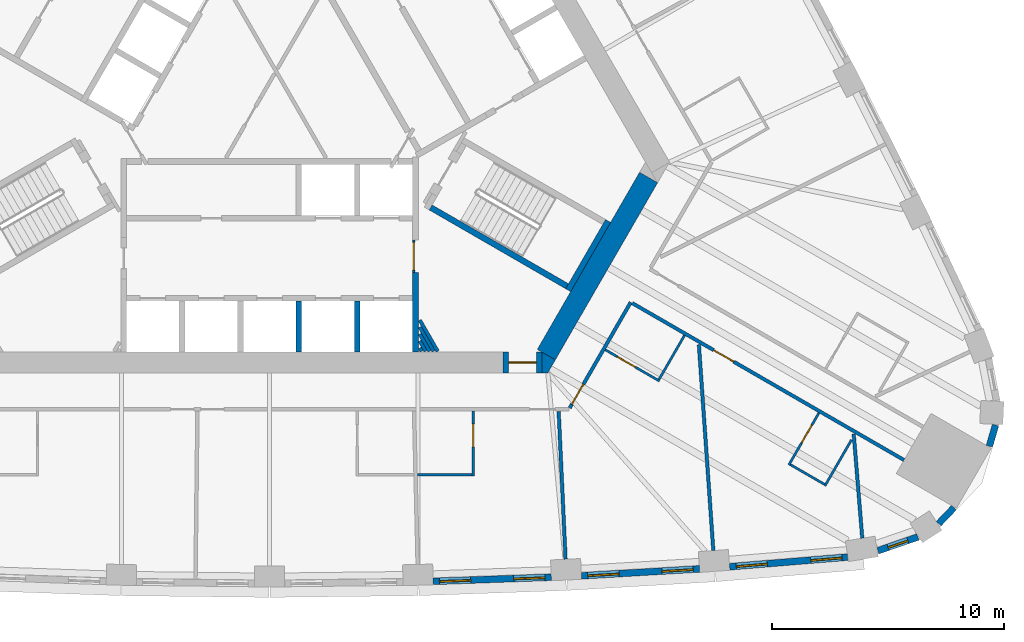
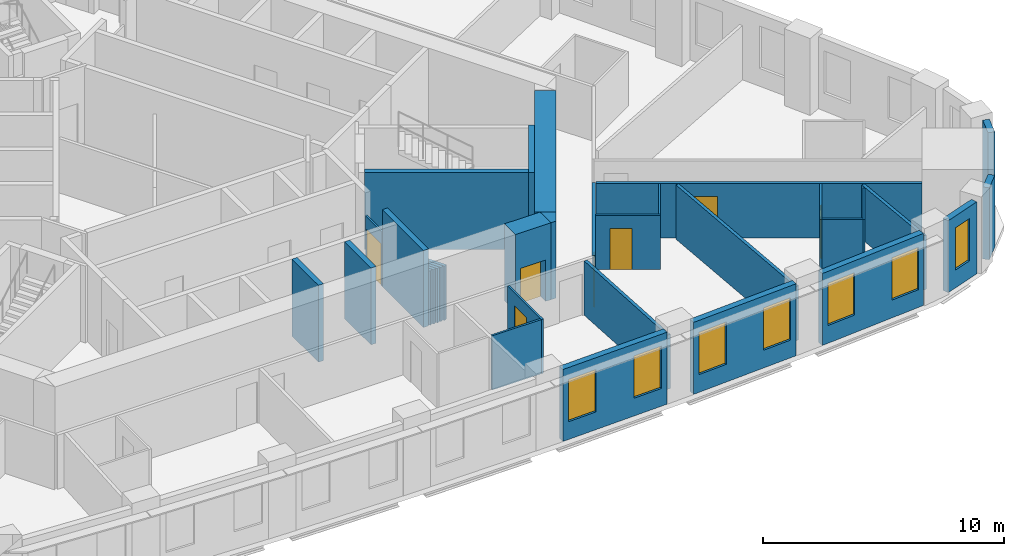
# One storey, part 7 of 12: 32 walls, 7 doors, 7 windows, 14 openings.
"""IFC4 building model written with IfcOpenShell, lengths in metres."""

from ifc_helpers import new_model, si_unit, direction, frame, frame_2d, origin, place, context, subcontext, project, spatial, polyline, rectangle, outline, extrude, material, layer, layer_set, type_object, element, fill, save


model = new_model("IFC4")

# Units and contexts
model_context = context("Model", 3, precision=1e-05, world=origin(), true_north=direction((0.0, 1.0)))
body_context = subcontext(model_context, "Body", "Model", "MODEL_VIEW")
ifc_project = project(units=[si_unit("LENGTHUNIT", "METRE"), si_unit("AREAUNIT", "SQUARE_METRE"), si_unit("VOLUMEUNIT", "CUBIC_METRE"), si_unit("PLANEANGLEUNIT", "RADIAN"), si_unit("MASSUNIT", "GRAM", prefix="KILO")], contexts=[model_context])

# Site, building, storey
site_placement = place(None, origin())
site = spatial("IfcSite", under=ifc_project, at=site_placement, CompositionType="ELEMENT")
building_placement = place(site_placement, origin())
building = spatial("IfcBuilding", under=site, at=building_placement, Name="Mestral Congress Tower", CompositionType="ELEMENT")
storey_placement = place(building_placement, frame((0.0, 0.0, 122.699951171875)))
storey = spatial("IfcBuildingStorey", under=building, at=storey_placement, Name="L29", CompositionType="ELEMENT", Elevation=122.699951171875)

# Walls
ifc_material_1 = material(Name="Fire-rated board partition")
ifc_layer_1 = layer(ifc_material_1, 0.14990234375)
ifc_layer_set_1 = layer_set([ifc_layer_1], Name="Fire-rated board partition")
wall_type_1 = type_object("IfcWallType", Name="Core partition 150", PredefinedType="PARTITIONING", material=ifc_layer_set_1)
wall_1_placement = place(storey_placement, frame((6.47998046875, -10.7255859375, 0.0), z_axis=(0.0, 0.0, 1.0), x_axis=(0.500017819788, -0.86601511528, 0.0)))
element("IfcWall", 1, at=wall_1_placement, inside=storey, type_object=wall_type_1, Name="L29 core wall", PredefinedType="PARTITIONING", context=body_context, shape_type="SweptSolid", body=[
    extrude(rectangle(XDim=1.55029296875, YDim=0.14990234375, at=frame_2d((0.775146484375, 0.0))), origin(), (0.0, 0.0, 1.0), 2.75),
])
wall_2_placement = place(storey_placement, frame((6.47998046875, -11.025634765625, 0.0), z_axis=(0.0, 0.0, 1.0), x_axis=(0.49995654735, -0.86605048973, 0.0)))
element("IfcWall", 2, at=wall_2_placement, inside=storey, type_object=wall_type_1, Name="L29 core wall", PredefinedType="PARTITIONING", context=body_context, shape_type="SweptSolid", body=[
    extrude(rectangle(XDim=1.20361328125, YDim=0.14990234375, at=frame_2d((0.601806640625, 0.0))), origin(), (0.0, 0.0, 1.0), 2.75),
])
wall_3_placement = place(storey_placement, frame((6.47998046875, -11.32568359375, 0.0), z_axis=(0.0, 0.0, 1.0), x_axis=(0.500059337743, -0.865991142412, 0.0)))
element("IfcWall", 3, at=wall_3_placement, inside=storey, type_object=wall_type_1, Name="L29 core wall", PredefinedType="PARTITIONING", context=body_context, shape_type="SweptSolid", body=[
    extrude(rectangle(XDim=0.857421875, YDim=0.14990234375, at=frame_2d((0.4287109375, 0.0))), origin(), (0.0, 0.0, 1.0), 2.75),
])
wall_4_placement = place(storey_placement, frame((6.47998046875, -11.625732421875, 0.0), z_axis=(0.0, 0.0, 1.0), x_axis=(0.500301480982, -0.865851273677, 0.0)))
element("IfcWall", 4, at=wall_4_placement, inside=storey, type_object=wall_type_1, Name="L29 core wall", PredefinedType="PARTITIONING", context=body_context, shape_type="SweptSolid", body=[
    extrude(rectangle(XDim=0.510986328125, YDim=0.14990234375, at=frame_2d((0.25537109375, 0.0))), origin(), (0.0, 0.0, 1.0), 2.75),
])
wall_5_placement = place(storey_placement, frame((6.47998046875, -11.92578125, 0.0), z_axis=(0.0, 0.0, 1.0), x_axis=(0.500450775723, -0.86576499183, 0.0)))
element("IfcWall", 5, at=wall_5_placement, inside=storey, type_object=wall_type_1, Name="L29 core wall", PredefinedType="PARTITIONING", context=body_context, shape_type="SweptSolid", body=[
    extrude(rectangle(XDim=0.164306640625, YDim=0.14990234375, at=frame_2d((0.08203125, 0.0))), origin(), (0.0, 0.0, 1.0), 2.75),
])

# Wall, opening, door
ifc_layer_2 = layer(ifc_material_1, 0.090087890625)
ifc_layer_set_2 = layer_set([ifc_layer_2], Name="Fire-rated board partition")
wall_type_2 = type_object("IfcWallType", Name="Core partition 150 door-wall 90", PredefinedType="PARTITIONING", material=ifc_layer_set_2)
wall_6_placement = place(storey_placement, frame((6.219970703125, -7.266357421875, 0.0), z_axis=(0.0, 0.0, 1.0), x_axis=(0.0, -1.0, 0.0)))
wall_6 = element("IfcWall", 6, at=wall_6_placement, inside=storey, type_object=wall_type_2, Name="L29 door wall", PredefinedType="PARTITIONING", context=body_context, shape_type="SweptSolid", body=[
    extrude(rectangle(XDim=1.400146484375, YDim=0.090087890625, at=frame_2d((0.7001953125, 0.0))), origin(), (0.0, 0.0, 1.0), 2.75),
])
opening_1_placement = place(wall_6_placement, frame((0.10009765625, 0.0, 0.0)))
opening_1 = element("IfcOpeningElement", 7, at=opening_1_placement, cuts=wall_6, Name="Opening LB0-WL1", PredefinedType="OPENING", context=body_context, shape_type="SweptSolid", body=[
    extrude(rectangle(XDim=1.199951171875, YDim=2.10009765625, at=frame_2d((0.60009765625, 1.050048828125))), frame((0.0, 0.054931640625, 0.0), z_axis=(0.0, -1.0, 0.0), x_axis=(1.0, 0.0, 0.0)), (0.0, 0.0, 1.0), 0.110107421875),
])
ifc_material_2 = material(Name="Fire-rated steel door set", Category="steel")
door_type_1 = type_object("IfcDoorType", Name="Core door LB 1200x2100", OperationType="SINGLE_SWING_LEFT", PredefinedType="DOOR", material=ifc_material_2)
door_1_placement = place(opening_1_placement, origin())
door_1 = element("IfcDoor", 8, at=door_1_placement, inside=storey, type_object=door_type_1, Name="Door LB0-WL1", OperationType="SINGLE_SWING_LEFT", OverallHeight=2.10009765625, OverallWidth=1.199951171875, PredefinedType="DOOR", context=body_context, shape_type="SweptSolid", body=[
    extrude(rectangle(XDim=1.199951171875, YDim=2.10009765625, at=frame_2d((0.60009765625, 1.050048828125))), frame((0.0, 0.02490234375, 0.0), z_axis=(0.0, -1.0, 0.0), x_axis=(1.0, 0.0, 0.0)), (0.0, 0.0, 1.0), 0.050048828125),
])
fill(opening_1, door_1)

# Walls
ifc_material_3 = material(Name="Concrete C60/75", Category="concrete")
ifc_layer_3 = layer(ifc_material_3, 0.89990234375)
ifc_layer_set_3 = layer_set([ifc_layer_3], Name="Concrete C60/75")
wall_type_3 = type_object("IfcWallType", Name="Core wall RC 900", PredefinedType="SOLIDWALL", material=ifc_layer_set_3)
wall_7_placement = place(storey_placement, frame((11.943115234375, -12.214111328125, 0.0), z_axis=(0.0, 0.0, 1.0), x_axis=(0.49998092645, 0.866036415623, 0.0)))
element("IfcWall", 9, at=wall_7_placement, inside=storey, type_object=wall_type_3, Name="L29 core wall", PredefinedType="SOLIDWALL", context=body_context, shape_type="SweptSolid", body=[
    extrude(rectangle(XDim=8.830322265625, YDim=0.89990234375, at=frame_2d((4.4150390625, 0.0))), origin(), (0.0, 0.0, 1.0), 3.900146484375),
])
wall_8_placement = place(storey_placement, origin())
element("IfcWall", 10, at=wall_8_placement, inside=storey, type_object=wall_type_3, Name="L29 core wall", PredefinedType="SOLIDWALL", context=body_context, shape_type="SweptSolid", body=[
    extrude(outline(polyline([(12.0087890625, -13.0), (11.764404296875, -13.0), (11.764404296875, -12.11328125), (12.331787109375, -12.440673828125), (12.0087890625, -13.0)])), origin(), (0.0, 0.0, 1.0), 3.900146484375),
])

# Wall, opening, door
wall_9_placement = place(storey_placement, frame((11.764404296875, -12.550048828125, 0.0), z_axis=(0.0, 0.0, 1.0), x_axis=(-1.0, 0.0, 0.0)))
wall_9 = element("IfcWall", 11, at=wall_9_placement, inside=storey, type_object=wall_type_3, Name="L29 door wall", PredefinedType="SOLIDWALL", context=body_context, shape_type="SweptSolid", body=[
    extrude(rectangle(XDim=1.699951171875, YDim=0.89990234375, at=frame_2d((0.85009765625, 0.0))), origin(), (0.0, 0.0, 1.0), 3.900146484375),
])
opening_2_placement = place(wall_9_placement, frame((0.25, 0.0, 0.0)))
opening_2 = element("IfcOpeningElement", 12, at=opening_2_placement, cuts=wall_9, Name="Opening XD1", PredefinedType="OPENING", context=body_context, shape_type="SweptSolid", body=[
    extrude(rectangle(XDim=1.199951171875, YDim=2.10009765625, at=frame_2d((0.60009765625, 1.050048828125))), frame((0.0, 0.4599609375, 0.0), z_axis=(0.0, -1.0, 0.0), x_axis=(1.0, 0.0, 0.0)), (0.0, 0.0, 1.0), 0.919921875),
])
door_type_2 = type_object("IfcDoorType", Name="Core door XD 1200x2100", OperationType="SINGLE_SWING_LEFT", PredefinedType="DOOR", material=ifc_material_2)
door_2_placement = place(opening_2_placement, origin())
door_2 = element("IfcDoor", 13, at=door_2_placement, inside=storey, type_object=door_type_2, Name="Door XD1", OperationType="SINGLE_SWING_LEFT", OverallHeight=2.10009765625, OverallWidth=1.199951171875, PredefinedType="DOOR", context=body_context, shape_type="SweptSolid", body=[
    extrude(rectangle(XDim=1.199951171875, YDim=2.10009765625, at=frame_2d((0.60009765625, 1.050048828125))), frame((0.0, 0.02490234375, 0.0), z_axis=(0.0, -1.0, 0.0), x_axis=(1.0, 0.0, 0.0)), (0.0, 0.0, 1.0), 0.050048828125),
])
fill(opening_2, door_2)

# Wall, openings, windows
ifc_material_4 = material(Name="Precast concrete C40/50 with limestone facing", Category="masonry")
ifc_layer_4 = layer(ifc_material_4, 0.2900390625)
ifc_layer_set_4 = layer_set([ifc_layer_4], Name="Precast concrete C40/50 with limestone facing")
wall_type_4 = type_object("IfcWallType", Name="Facade stone wall 290", PredefinedType="SOLIDWALL", material=ifc_layer_set_4)
wall_10_placement = place(storey_placement, frame((7.059326171875, -22.000732421875, 0.0), z_axis=(0.0, 0.0, 1.0), x_axis=(0.999385993957, 0.035037623812, 0.0)))
wall_10 = element("IfcWall", 14, at=wall_10_placement, inside=storey, type_object=wall_type_4, Name="Facade wall F0-05", PredefinedType="SOLIDWALL", context=body_context, shape_type="SweptSolid", body=[
    extrude(rectangle(XDim=5.1005859375, YDim=0.2900390625, at=frame_2d((2.55029296875, 0.0))), origin(), (0.0, 0.0, 1.0), 3.650146484375),
])
opening_3_placement = place(wall_10_placement, frame((0.272705078125, 0.0, 0.89990234375)))
opening_3 = element("IfcOpeningElement", 15, at=opening_3_placement, cuts=wall_10, Name="Opening W2", PredefinedType="OPENING", context=body_context, shape_type="SweptSolid", body=[
    extrude(rectangle(XDim=1.35009765625, YDim=2.14990234375, at=frame_2d((0.675048828125, 1.074951171875))), frame((0.0, 0.155029296875, 0.0), z_axis=(0.0, -1.0, 0.0), x_axis=(1.0, 0.0, 0.0)), (0.0, 0.0, 1.0), 0.31005859375),
])
opening_4_placement = place(wall_10_placement, frame((3.477783203125, 0.0, 0.89990234375)))
opening_4 = element("IfcOpeningElement", 16, at=opening_4_placement, cuts=wall_10, Name="Opening W2", PredefinedType="OPENING", context=body_context, shape_type="SweptSolid", body=[
    extrude(rectangle(XDim=1.35009765625, YDim=2.14990234375, at=frame_2d((0.675048828125, 1.074951171875))), frame((0.0, 0.155029296875, 0.0), z_axis=(0.0, -1.0, 0.0), x_axis=(1.0, 0.0, 0.0)), (0.0, 0.0, 1.0), 0.31005859375),
])
ifc_material_5 = material(Name="Clear low-emissivity double glazing", Category="glass")
window_type_1 = type_object("IfcWindowType", Name="Facade punched window 1350 x 2150 sill 900", PartitioningType="DOUBLE_PANEL_VERTICAL", PredefinedType="WINDOW", material=ifc_material_5)
window_1_placement = place(opening_3_placement, origin())
window_1 = element("IfcWindow", 17, at=window_1_placement, inside=storey, type_object=window_type_1, Name="Window F0-05a", OverallHeight=2.14990234375, OverallWidth=1.35009765625, PartitioningType="DOUBLE_PANEL_VERTICAL", PredefinedType="WINDOW", context=body_context, shape_type="SweptSolid", body=[
    extrude(rectangle(XDim=1.35009765625, YDim=2.14990234375, at=frame_2d((0.675048828125, 1.074951171875))), frame((0.0, 0.01513671875, 0.0), z_axis=(0.0, -1.0, 0.0), x_axis=(1.0, 0.0, 0.0)), (0.0, 0.0, 1.0), 0.06005859375),
])
fill(opening_3, window_1)
window_2_placement = place(opening_4_placement, origin())
window_2 = element("IfcWindow", 18, at=window_2_placement, inside=storey, type_object=window_type_1, Name="Window F0-05b", OverallHeight=2.14990234375, OverallWidth=1.35009765625, PartitioningType="DOUBLE_PANEL_VERTICAL", PredefinedType="WINDOW", context=body_context, shape_type="SweptSolid", body=[
    extrude(rectangle(XDim=1.35009765625, YDim=2.14990234375, at=frame_2d((0.675048828125, 1.074951171875))), frame((0.0, 0.01513671875, 0.0), z_axis=(0.0, -1.0, 0.0), x_axis=(1.0, 0.0, 0.0)), (0.0, 0.0, 1.0), 0.06005859375),
])
fill(opening_4, window_2)

wall_11_placement = place(storey_placement, frame((13.4619140625, -21.760986328125, 0.0), z_axis=(0.0, 0.0, 1.0), x_axis=(0.998290511436, 0.058447025388, 0.0)))
wall_11 = element("IfcWall", 19, at=wall_11_placement, inside=storey, type_object=wall_type_4, Name="Facade wall F0-06", PredefinedType="SOLIDWALL", context=body_context, shape_type="SweptSolid", body=[
    extrude(rectangle(XDim=5.100341796875, YDim=0.2900390625, at=frame_2d((2.55029296875, 0.0))), origin(), (0.0, 0.0, 1.0), 3.650146484375),
])
opening_5_placement = place(wall_11_placement, frame((0.2724609375, 0.0, 0.89990234375)))
opening_5 = element("IfcOpeningElement", 20, at=opening_5_placement, cuts=wall_11, Name="Opening W2", PredefinedType="OPENING", context=body_context, shape_type="SweptSolid", body=[
    extrude(rectangle(XDim=1.35009765625, YDim=2.14990234375, at=frame_2d((0.675048828125, 1.074951171875))), frame((0.0, 0.155029296875, 0.0), z_axis=(0.0, -1.0, 0.0), x_axis=(1.0, 0.0, 0.0)), (0.0, 0.0, 1.0), 0.31005859375),
])
opening_6_placement = place(wall_11_placement, frame((3.477783203125, 0.0, 0.89990234375)))
opening_6 = element("IfcOpeningElement", 21, at=opening_6_placement, cuts=wall_11, Name="Opening W2", PredefinedType="OPENING", context=body_context, shape_type="SweptSolid", body=[
    extrude(rectangle(XDim=1.35009765625, YDim=2.14990234375, at=frame_2d((0.675048828125, 1.074951171875))), frame((0.0, 0.155029296875, 0.0), z_axis=(0.0, -1.0, 0.0), x_axis=(1.0, 0.0, 0.0)), (0.0, 0.0, 1.0), 0.31005859375),
])
window_3_placement = place(opening_5_placement, origin())
window_3 = element("IfcWindow", 22, at=window_3_placement, inside=storey, type_object=window_type_1, Name="Window F0-06a", OverallHeight=2.14990234375, OverallWidth=1.35009765625, PartitioningType="DOUBLE_PANEL_VERTICAL", PredefinedType="WINDOW", context=body_context, shape_type="SweptSolid", body=[
    extrude(rectangle(XDim=1.35009765625, YDim=2.14990234375, at=frame_2d((0.675048828125, 1.074951171875))), frame((0.0, 0.01513671875, 0.0), z_axis=(0.0, -1.0, 0.0), x_axis=(1.0, 0.0, 0.0)), (0.0, 0.0, 1.0), 0.06005859375),
])
fill(opening_5, window_3)
window_4_placement = place(opening_6_placement, origin())
window_4 = element("IfcWindow", 23, at=window_4_placement, inside=storey, type_object=window_type_1, Name="Window F0-06b", OverallHeight=2.14990234375, OverallWidth=1.35009765625, PartitioningType="DOUBLE_PANEL_VERTICAL", PredefinedType="WINDOW", context=body_context, shape_type="SweptSolid", body=[
    extrude(rectangle(XDim=1.35009765625, YDim=2.14990234375, at=frame_2d((0.675048828125, 1.074951171875))), frame((0.0, 0.01513671875, 0.0), z_axis=(0.0, -1.0, 0.0), x_axis=(1.0, 0.0, 0.0)), (0.0, 0.0, 1.0), 0.06005859375),
])
fill(opening_6, window_4)

wall_12_placement = place(storey_placement, frame((19.856689453125, -21.37109375, 0.0), z_axis=(0.0, 0.0, 1.0), x_axis=(0.99665273362, 0.081751627308, 0.0)))
wall_12 = element("IfcWall", 24, at=wall_12_placement, inside=storey, type_object=wall_type_4, Name="Facade wall F0-07", PredefinedType="SOLIDWALL", context=body_context, shape_type="SweptSolid", body=[
    extrude(rectangle(XDim=5.106689453125, YDim=0.2900390625, at=frame_2d((2.55322265625, 0.0))), origin(), (0.0, 0.0, 1.0), 3.650146484375),
])
opening_7_placement = place(wall_12_placement, frame((0.285400390625, 0.0, 0.89990234375)))
opening_7 = element("IfcOpeningElement", 25, at=opening_7_placement, cuts=wall_12, Name="Opening W2", PredefinedType="OPENING", context=body_context, shape_type="SweptSolid", body=[
    extrude(rectangle(XDim=1.35009765625, YDim=2.14990234375, at=frame_2d((0.675048828125, 1.074951171875))), frame((0.0, 0.155029296875, 0.0), z_axis=(0.0, -1.0, 0.0), x_axis=(1.0, 0.0, 0.0)), (0.0, 0.0, 1.0), 0.31005859375),
])
opening_8_placement = place(wall_12_placement, frame((3.51611328125, 0.0, 0.89990234375)))
opening_8 = element("IfcOpeningElement", 26, at=opening_8_placement, cuts=wall_12, Name="Opening W2", PredefinedType="OPENING", context=body_context, shape_type="SweptSolid", body=[
    extrude(rectangle(XDim=1.35009765625, YDim=2.14990234375, at=frame_2d((0.675048828125, 1.074951171875))), frame((0.0, 0.155029296875, 0.0), z_axis=(0.0, -1.0, 0.0), x_axis=(1.0, 0.0, 0.0)), (0.0, 0.0, 1.0), 0.31005859375),
])
window_5_placement = place(opening_7_placement, origin())
window_5 = element("IfcWindow", 27, at=window_5_placement, inside=storey, type_object=window_type_1, Name="Window F0-07a", OverallHeight=2.14990234375, OverallWidth=1.35009765625, PartitioningType="DOUBLE_PANEL_VERTICAL", PredefinedType="WINDOW", context=body_context, shape_type="SweptSolid", body=[
    extrude(rectangle(XDim=1.35009765625, YDim=2.14990234375, at=frame_2d((0.675048828125, 1.074951171875))), frame((0.0, 0.01513671875, 0.0), z_axis=(0.0, -1.0, 0.0), x_axis=(1.0, 0.0, 0.0)), (0.0, 0.0, 1.0), 0.06005859375),
])
fill(opening_7, window_5)
window_6_placement = place(opening_8_placement, origin())
window_6 = element("IfcWindow", 28, at=window_6_placement, inside=storey, type_object=window_type_1, Name="Window F0-07b", OverallHeight=2.14990234375, OverallWidth=1.35009765625, PartitioningType="DOUBLE_PANEL_VERTICAL", PredefinedType="WINDOW", context=body_context, shape_type="SweptSolid", body=[
    extrude(rectangle(XDim=1.35009765625, YDim=2.14990234375, at=frame_2d((0.675048828125, 1.074951171875))), frame((0.0, 0.01513671875, 0.0), z_axis=(0.0, -1.0, 0.0), x_axis=(1.0, 0.0, 0.0)), (0.0, 0.0, 1.0), 0.06005859375),
])
fill(opening_8, window_6)

# Wall, opening, window
wall_13_placement = place(storey_placement, frame((26.260986328125, -20.67919921875, 0.0), z_axis=(0.0, 0.0, 1.0), x_axis=(0.945385815453, 0.325953462844, 0.0)))
wall_13 = element("IfcWall", 29, at=wall_13_placement, inside=storey, type_object=wall_type_4, Name="Facade wall K0-0", PredefinedType="SOLIDWALL", context=body_context, shape_type="SweptSolid", body=[
    extrude(rectangle(XDim=1.8193359375, YDim=0.2900390625, at=frame_2d((0.90966796875, 0.0))), origin(), (0.0, 0.0, 1.0), 3.650146484375),
])
opening_9_placement = place(wall_13_placement, frame((0.459716796875, 0.0, 0.89990234375)))
opening_9 = element("IfcOpeningElement", 30, at=opening_9_placement, cuts=wall_13, Name="Opening W3", PredefinedType="OPENING", context=body_context, shape_type="SweptSolid", body=[
    extrude(rectangle(XDim=0.89990234375, YDim=2.14990234375, at=frame_2d((0.449951171875, 1.074951171875))), frame((0.0, 0.155029296875, 0.0), z_axis=(0.0, -1.0, 0.0), x_axis=(1.0, 0.0, 0.0)), (0.0, 0.0, 1.0), 0.31005859375),
])
window_type_2 = type_object("IfcWindowType", Name="Facade punched window 900 x 2150 sill 900", PartitioningType="SINGLE_PANEL", PredefinedType="WINDOW", material=ifc_material_5)
window_7_placement = place(opening_9_placement, origin())
window_7 = element("IfcWindow", 31, at=window_7_placement, inside=storey, type_object=window_type_2, Name="Window K0-0", OverallHeight=2.14990234375, OverallWidth=0.89990234375, PartitioningType="SINGLE_PANEL", PredefinedType="WINDOW", context=body_context, shape_type="SweptSolid", body=[
    extrude(rectangle(XDim=0.89990234375, YDim=2.14990234375, at=frame_2d((0.449951171875, 1.074951171875))), frame((0.0, 0.01513671875, 0.0), z_axis=(0.0, -1.0, 0.0), x_axis=(1.0, 0.0, 0.0)), (0.0, 0.0, 1.0), 0.06005859375),
])
fill(opening_9, window_7)

# Walls
wall_14_placement = place(storey_placement, frame((28.88037109375, -19.50927734375, 0.0), z_axis=(0.0, 0.0, 1.0), x_axis=(0.690414427296, 0.723414071319, 0.0)))
element("IfcWall", 32, at=wall_14_placement, inside=storey, type_object=wall_type_4, Name="Facade wall K0-1", PredefinedType="SOLIDWALL", context=body_context, shape_type="SweptSolid", body=[
    extrude(rectangle(XDim=0.947021484375, YDim=0.2900390625, at=frame_2d((0.4736328125, 0.0))), origin(), (0.0, 0.0, 1.0), 3.650146484375),
])
wall_15_placement = place(storey_placement, frame((31.069091796875, -16.165283203125, 0.0), z_axis=(0.0, 0.0, 1.0), x_axis=(0.281454582132, 0.95957455062, 0.0)))
element("IfcWall", 33, at=wall_15_placement, inside=storey, type_object=wall_type_4, Name="Facade wall K0-2", PredefinedType="SOLIDWALL", context=body_context, shape_type="SweptSolid", body=[
    extrude(rectangle(XDim=0.947265625, YDim=0.2900390625, at=frame_2d((0.4736328125, 0.0))), origin(), (0.0, 0.0, 1.0), 3.650146484375),
])

# Wall, opening, door
ifc_material_6 = material(Name="Gypsum board partition on metal studs with mineral wool", Category="composite")
ifc_layer_5 = layer(ifc_material_6, 0.10009765625)
ifc_layer_set_5 = layer_set([ifc_layer_5], Name="Gypsum board partition on metal studs with mineral wool")
wall_type_5 = type_object("IfcWallType", Name="Hotel partition wall 100", PredefinedType="PARTITIONING", material=ifc_layer_set_5)
wall_16_placement = place(storey_placement, frame((8.78759765625, -17.449951171875, 0.0), z_axis=(0.0, 0.0, 1.0), x_axis=(0.0, 1.0, 0.0)))
wall_16 = element("IfcWall", 34, at=wall_16_placement, inside=storey, type_object=wall_type_5, Name="L29-h-pod04a", PredefinedType="PARTITIONING", context=body_context, shape_type="SweptSolid", body=[
    extrude(rectangle(XDim=2.800048828125, YDim=0.10009765625, at=frame_2d((1.39990234375, 0.0))), origin(), (0.0, 0.0, 1.0), 2.75),
])
opening_10_placement = place(wall_16_placement, frame((1.25, 0.0, 0.0)))
opening_10 = element("IfcOpeningElement", 35, at=opening_10_placement, cuts=wall_16, Name="Opening H09-008", PredefinedType="OPENING", context=body_context, shape_type="SweptSolid", body=[
    extrude(rectangle(XDim=1.0, YDim=2.10009765625, at=frame_2d((0.5, 1.050048828125))), frame((0.0, 0.06005859375, 0.0), z_axis=(0.0, -1.0, 0.0), x_axis=(1.0, 0.0, 0.0)), (0.0, 0.0, 1.0), 0.1201171875),
])
ifc_material_7 = material(Name="Timber veneer door leaf in timber frame", Category="wood")
door_type_3 = type_object("IfcDoorType", Name="Accessible bathroom door 1000", OperationType="SINGLE_SWING_LEFT", PredefinedType="DOOR", material=ifc_material_7)
door_3_placement = place(opening_10_placement, origin())
door_3 = element("IfcDoor", 36, at=door_3_placement, inside=storey, type_object=door_type_3, Name="L29-h-d008", OperationType="SINGLE_SWING_LEFT", OverallHeight=2.10009765625, OverallWidth=1.0, PredefinedType="DOOR", context=body_context, shape_type="SweptSolid", body=[
    extrude(rectangle(XDim=1.0, YDim=2.10009765625, at=frame_2d((0.5, 1.050048828125))), frame((0.0, 0.02490234375, 0.0), z_axis=(0.0, -1.0, 0.0), x_axis=(1.0, 0.0, 0.0)), (0.0, 0.0, 1.0), 0.050048828125),
])
fill(opening_10, door_3)

# Wall
wall_17_placement = place(storey_placement, frame((8.73779296875, -17.39990234375, 0.0), z_axis=(0.0, 0.0, 1.0), x_axis=(-1.0, 0.0, 0.0)))
element("IfcWall", 37, at=wall_17_placement, inside=storey, type_object=wall_type_5, Name="L29-h-pod04b", PredefinedType="PARTITIONING", context=body_context, shape_type="SweptSolid", body=[
    extrude(rectangle(XDim=2.360107421875, YDim=0.10009765625, at=frame_2d((1.18017578125, 0.0))), origin(), (0.0, 0.0, 1.0), 2.75),
])

# Wall, opening, door
wall_18_placement = place(storey_placement, frame((14.489501953125, -12.00341796875, 0.0), z_axis=(0.0, 0.0, 1.0), x_axis=(0.866059108428, -0.4999416173, 0.0)))
wall_18 = element("IfcWall", 38, at=wall_18_placement, inside=storey, type_object=wall_type_5, Name="L29-h-pod05a", PredefinedType="PARTITIONING", context=body_context, shape_type="SweptSolid", body=[
    extrude(rectangle(XDim=2.699951171875, YDim=0.10009765625, at=frame_2d((1.35009765625, 0.0))), origin(), (0.0, 0.0, 1.0), 2.75),
])
opening_11_placement = place(wall_18_placement, frame((0.60009765625, 0.0, 0.0)))
opening_11 = element("IfcOpeningElement", 39, at=opening_11_placement, cuts=wall_18, Name="Opening H09-010", PredefinedType="OPENING", context=body_context, shape_type="SweptSolid", body=[
    extrude(rectangle(XDim=0.89990234375, YDim=2.10009765625, at=frame_2d((0.449951171875, 1.050048828125))), frame((0.0, 0.06005859375, 0.0), z_axis=(0.0, -1.0, 0.0), x_axis=(1.0, 0.0, 0.0)), (0.0, 0.0, 1.0), 0.1201171875),
])
door_type_4 = type_object("IfcDoorType", Name="Bathroom door 900", OperationType="SINGLE_SWING_LEFT", PredefinedType="DOOR", material=ifc_material_7)
door_4_placement = place(opening_11_placement, origin())
door_4 = element("IfcDoor", 40, at=door_4_placement, inside=storey, type_object=door_type_4, Name="L29-h-d010", OperationType="SINGLE_SWING_LEFT", OverallHeight=2.10009765625, OverallWidth=0.89990234375, PredefinedType="DOOR", context=body_context, shape_type="SweptSolid", body=[
    extrude(rectangle(XDim=0.89990234375, YDim=2.10009765625, at=frame_2d((0.449951171875, 1.050048828125))), frame((0.0, 0.02490234375, 0.0), z_axis=(0.0, -1.0, 0.0), x_axis=(1.0, 0.0, 0.0)), (0.0, 0.0, 1.0), 0.050048828125),
])
fill(opening_11, door_4)

# Wall
wall_19_placement = place(storey_placement, frame((16.8095703125, -13.284912109375, 0.0), z_axis=(0.0, 0.0, 1.0), x_axis=(0.499994660107, 0.866028486751, 0.0)))
element("IfcWall", 41, at=wall_19_placement, inside=storey, type_object=wall_type_5, Name="L29-h-pod05b", PredefinedType="PARTITIONING", context=body_context, shape_type="SweptSolid", body=[
    extrude(rectangle(XDim=2.19970703125, YDim=0.10009765625, at=frame_2d((1.099853515625, 0.0))), origin(), (0.0, 0.0, 1.0), 2.75),
])

# Wall, opening, door
wall_20_placement = place(storey_placement, frame((23.710205078125, -14.728271484375, 0.0), z_axis=(0.0, 0.0, 1.0), x_axis=(-0.500006934395, -0.866021400173, 0.0)))
wall_20 = element("IfcWall", 42, at=wall_20_placement, inside=storey, type_object=wall_type_5, Name="L29-h-pod06a", PredefinedType="PARTITIONING", context=body_context, shape_type="SweptSolid", body=[
    extrude(rectangle(XDim=2.60009765625, YDim=0.10009765625, at=frame_2d((1.300048828125, 0.0))), origin(), (0.0, 0.0, 1.0), 2.75),
])
opening_12_placement = place(wall_20_placement, frame((0.60009765625, 0.0, 0.0)))
opening_12 = element("IfcOpeningElement", 43, at=opening_12_placement, cuts=wall_20, Name="Opening H09-012", PredefinedType="OPENING", context=body_context, shape_type="SweptSolid", body=[
    extrude(rectangle(XDim=0.89990234375, YDim=2.10009765625, at=frame_2d((0.449951171875, 1.050048828125))), frame((0.0, 0.06005859375, 0.0), z_axis=(0.0, -1.0, 0.0), x_axis=(1.0, 0.0, 0.0)), (0.0, 0.0, 1.0), 0.1201171875),
])
door_5_placement = place(opening_12_placement, origin())
door_5 = element("IfcDoor", 44, at=door_5_placement, inside=storey, type_object=door_type_4, Name="L29-h-d012", OperationType="SINGLE_SWING_RIGHT", OverallHeight=2.10009765625, OverallWidth=0.89990234375, PredefinedType="DOOR", context=body_context, shape_type="SweptSolid", body=[
    extrude(rectangle(XDim=0.89990234375, YDim=2.10009765625, at=frame_2d((0.449951171875, 1.050048828125))), frame((0.0, 0.02490234375, 0.0), z_axis=(0.0, -1.0, 0.0), x_axis=(1.0, 0.0, 0.0)), (0.0, 0.0, 1.0), 0.050048828125),
])
fill(opening_12, door_5)

# Walls
wall_21_placement = place(storey_placement, frame((22.478515625, -16.961669921875, 0.0), z_axis=(0.0, 0.0, 1.0), x_axis=(0.86605165483, -0.499954529098, 0.0)))
element("IfcWall", 45, at=wall_21_placement, inside=storey, type_object=wall_type_5, Name="L29-h-pod06b", PredefinedType="PARTITIONING", context=body_context, shape_type="SweptSolid", body=[
    extrude(rectangle(XDim=1.699951171875, YDim=0.10009765625, at=frame_2d((0.85009765625, 0.0))), origin(), (0.0, 0.0, 1.0), 2.75),
])
wall_22_placement = place(storey_placement, frame((25.118896484375, -15.88818359375, 0.0), z_axis=(0.0, 0.0, 1.0), x_axis=(-0.499998129301, -0.86602648383, 0.0)))
element("IfcWall", 46, at=wall_22_placement, inside=storey, type_object=wall_type_5, Name="L29-h-pod06c", PredefinedType="PARTITIONING", context=body_context, shape_type="SweptSolid", body=[
    extrude(rectangle(XDim=2.2998046875, YDim=0.10009765625, at=frame_2d((1.14990234375, 0.0))), origin(), (0.0, 0.0, 1.0), 2.75),
])

# Wall, opening, door
ifc_layer_6 = layer(ifc_material_6, 0.14990234375)
ifc_layer_set_6 = layer_set([ifc_layer_6], Name="Gypsum board partition on metal studs with mineral wool")
wall_type_6 = type_object("IfcWallType", Name="Hotel partition wall 150", PredefinedType="PARTITIONING", material=ifc_layer_set_6)
wall_23_placement = place(storey_placement, frame((15.58740234375, -9.951904296875, 0.0), z_axis=(0.0, 0.0, 1.0), x_axis=(-0.500016618951, -0.866015808616, 0.0)))
wall_23 = element("IfcWall", 47, at=wall_23_placement, inside=storey, type_object=wall_type_6, Name="L29-h-cw14", PredefinedType="PARTITIONING", context=body_context, shape_type="SweptSolid", body=[
    extrude(rectangle(XDim=5.268310546875, YDim=0.14990234375, at=frame_2d((2.63427734375, 0.0))), origin(), (0.0, 0.0, 1.0), 2.75),
])
opening_13_placement = place(wall_23_placement, frame((4.088134765625, 0.0, 0.0)))
opening_13 = element("IfcOpeningElement", 48, at=opening_13_placement, cuts=wall_23, Name="Opening H09-009", PredefinedType="OPENING", context=body_context, shape_type="SweptSolid", body=[
    extrude(rectangle(XDim=1.0, YDim=2.10009765625, at=frame_2d((0.5, 1.050048828125))), frame((0.0, 0.0849609375, 0.0), z_axis=(0.0, -1.0, 0.0), x_axis=(1.0, 0.0, 0.0)), (0.0, 0.0, 1.0), 0.169921875),
])
ifc_material_8 = material(Name="Timber veneer door leaf in metal frame", Category="wood")
door_type_5 = type_object("IfcDoorType", Name="Guest room entrance door 1000", OperationType="SINGLE_SWING_LEFT", PredefinedType="DOOR", material=ifc_material_8)
door_6_placement = place(opening_13_placement, origin())
door_6 = element("IfcDoor", 49, at=door_6_placement, inside=storey, type_object=door_type_5, Name="L29-h-d009", OperationType="SINGLE_SWING_RIGHT", OverallHeight=2.10009765625, OverallWidth=1.0, PredefinedType="DOOR", context=body_context, shape_type="SweptSolid", body=[
    extrude(rectangle(XDim=1.0, YDim=2.10009765625, at=frame_2d((0.5, 1.050048828125))), frame((0.0, 0.02490234375, 0.0), z_axis=(0.0, -1.0, 0.0), x_axis=(1.0, 0.0, 0.0)), (0.0, 0.0, 1.0), 0.050048828125),
])
fill(opening_13, door_6)

wall_24_placement = place(storey_placement, frame((27.3857421875, -16.763916015625, 0.0), z_axis=(0.0, 0.0, 1.0), x_axis=(-0.866022585856, 0.500004880763, 0.0)))
wall_24 = element("IfcWall", 50, at=wall_24_placement, inside=storey, type_object=wall_type_6, Name="L29-h-cw15", PredefinedType="PARTITIONING", context=body_context, shape_type="SweptSolid", body=[
    extrude(rectangle(XDim=13.543701171875, YDim=0.14990234375, at=frame_2d((6.77197265625, 0.0))), origin(), (0.0, 0.0, 1.0), 2.75),
])
opening_14_placement = place(wall_24_placement, frame((8.490966796875, 0.0, 0.0)))
opening_14 = element("IfcOpeningElement", 51, at=opening_14_placement, cuts=wall_24, Name="Opening H09-011", PredefinedType="OPENING", context=body_context, shape_type="SweptSolid", body=[
    extrude(rectangle(XDim=1.0, YDim=2.10009765625, at=frame_2d((0.5, 1.050048828125))), frame((0.0, 0.0849609375, 0.0), z_axis=(0.0, -1.0, 0.0), x_axis=(1.0, 0.0, 0.0)), (0.0, 0.0, 1.0), 0.169921875),
])
door_7_placement = place(opening_14_placement, origin())
door_7 = element("IfcDoor", 52, at=door_7_placement, inside=storey, type_object=door_type_5, Name="L29-h-d011", OperationType="SINGLE_SWING_RIGHT", OverallHeight=2.10009765625, OverallWidth=1.0, PredefinedType="DOOR", context=body_context, shape_type="SweptSolid", body=[
    extrude(rectangle(XDim=1.0, YDim=2.10009765625, at=frame_2d((0.5, 1.050048828125))), frame((0.0, 0.02490234375, 0.0), z_axis=(0.0, -1.0, 0.0), x_axis=(1.0, 0.0, 0.0)), (0.0, 0.0, 1.0), 0.050048828125),
])
fill(opening_14, door_7)

# Walls
wall_25_placement = place(storey_placement, frame((12.7744140625, -21.044921875, 0.0), z_axis=(0.0, 0.0, 1.0), x_axis=(-0.046750341626, 0.998906605023, 0.0)))
element("IfcWall", 53, at=wall_25_placement, inside=storey, type_object=wall_type_6, Name="L29-h-pw17", PredefinedType="PARTITIONING", context=body_context, shape_type="SweptSolid", body=[
    extrude(rectangle(XDim=6.39208984375, YDim=0.14990234375, at=frame_2d((3.196044921875, 0.0))), origin(), (0.0, 0.0, 1.0), 2.75),
])
wall_26_placement = place(storey_placement, frame((19.152587890625, -20.67138671875, 0.0), z_axis=(0.0, 0.0, 1.0), x_axis=(-0.070070736723, 0.997542025107, 0.0)))
element("IfcWall", 54, at=wall_26_placement, inside=storey, type_object=wall_type_6, Name="L29-h-pw20", PredefinedType="PARTITIONING", context=body_context, shape_type="SweptSolid", body=[
    extrude(rectangle(XDim=8.9091796875, YDim=0.14990234375, at=frame_2d((4.45458984375, 0.0))), origin(), (0.0, 0.0, 1.0), 2.75),
])
wall_27_placement = place(storey_placement, frame((25.581787109375, -20.13818359375, 0.0), z_axis=(0.0, 0.0, 1.0), x_axis=(-0.081746132986, 0.996653184283, 0.0)))
element("IfcWall", 55, at=wall_27_placement, inside=storey, type_object=wall_type_6, Name="L29-h-pw21", PredefinedType="PARTITIONING", context=body_context, shape_type="SweptSolid", body=[
    extrude(rectangle(XDim=4.509765625, YDim=0.14990234375, at=frame_2d((2.2548828125, 0.0))), origin(), (0.0, 0.0, 1.0), 2.75),
])
ifc_layer_7 = layer(ifc_material_3, 0.25)
ifc_layer_set_7 = layer_set([ifc_layer_7], Name="Concrete C60/75")
wall_type_7 = type_object("IfcWallType", Name="Shaft wall RC 250", PredefinedType="SOLIDWALL", material=ifc_layer_set_7)
wall_28_placement = place(storey_placement, frame((6.300048828125, -12.10009765625, 0.0), z_axis=(0.0, 0.0, 1.0), x_axis=(0.0, 1.0, 0.0)))
element("IfcWall", 56, at=wall_28_placement, inside=storey, type_object=wall_type_7, Name="L29 core wall", PredefinedType="SOLIDWALL", context=body_context, shape_type="SweptSolid", body=[
    extrude(rectangle(XDim=3.427978515625, YDim=0.25, at=frame_2d((1.7138671875, 0.0))), origin(), (0.0, 0.0, 1.0), 3.900146484375),
])
for number, where, z_axis, x_axis, name in (
    (57, (3.780029296875, -12.10009765625, 0.0), (0.0, 0.0, 1.0), (0.0, 1.0, 0.0), "L29 core wall"),
    (58, (1.260009765625, -12.10009765625, 0.0), (0.0, 0.0, 1.0), (0.0, 1.0, 0.0), "L29 core wall"),
):
    element("IfcWall", number, at=place(storey_placement, frame(where, z_axis=z_axis, x_axis=x_axis)), inside=storey, type_object=wall_type_7, Name=name, PredefinedType="SOLIDWALL", context=body_context, shape_type="SweptSolid", body=[
        extrude(rectangle(XDim=2.199951171875, YDim=0.25, at=frame_2d((1.10009765625, 0.0))), origin(), (0.0, 0.0, 1.0), 3.900146484375),
    ])
ifc_layer_8 = layer(ifc_material_3, 0.25)
ifc_layer_set_8 = layer_set([ifc_layer_8], Name="Concrete C60/75")
wall_type_8 = type_object("IfcWallType", Name="Stair wall RC 250", PredefinedType="SOLIDWALL", material=ifc_layer_set_8)
wall_29_placement = place(storey_placement, frame((12.885498046875, -9.431396484375, 0.0), z_axis=(0.0, 0.0, 1.0), x_axis=(0.500020560727, 0.866013532718, 0.0)))
element("IfcWall", 59, at=wall_29_placement, inside=storey, type_object=wall_type_8, Name="L29 core wall", PredefinedType="SOLIDWALL", context=body_context, shape_type="SweptSolid", body=[
    extrude(rectangle(XDim=3.449951171875, YDim=0.25, at=frame_2d((1.72509765625, 0.0))), origin(), (0.0, 0.0, 1.0), 3.900146484375),
])
wall_30_placement = place(storey_placement, frame((12.83984375, -9.2607421875, 0.0), z_axis=(0.0, 0.0, 1.0), x_axis=(-0.866013990052, 0.500019768644, 0.0)))
element("IfcWall", 60, at=wall_30_placement, inside=storey, type_object=wall_type_8, Name="L29 core wall", PredefinedType="SOLIDWALL", context=body_context, shape_type="SweptSolid", body=[
    extrude(rectangle(XDim=6.800048828125, YDim=0.25, at=frame_2d((3.39990234375, 0.0))), origin(), (0.0, 0.0, 1.0), 3.900146484375),
])

save(model, "model.ifc")
